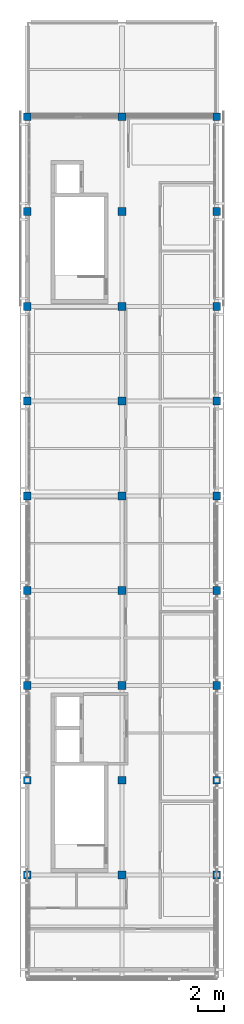
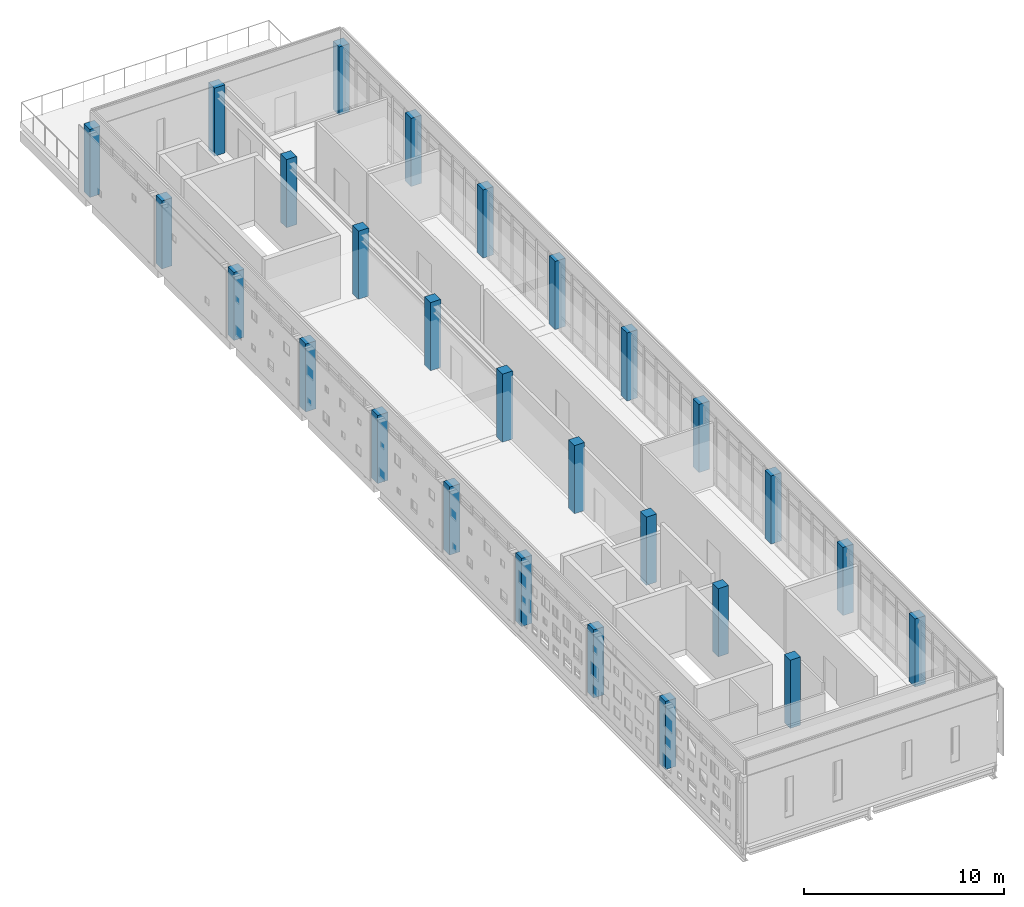
# One storey, part 1 of 19: 27 columns.
"""IFC4 building model written with IfcOpenShell, lengths in metres."""

import ifcopenshell
import ifcopenshell.guid

model = None  # the IFC model being written
_history = None  # IfcOwnerHistory: only IFC2X3 demands one
_inside = {}  # id of a spatial element -> (the spatial element, [elements in it])
_under = {}  # id of a project, library or spatial element -> (it, [spatial elements below it])
_declared = {}  # id of a project -> (the project, [libraries it declares])
_typed = {}  # id of a type object -> (the type object, [elements of that type])
_made_of = {}  # id of a material, layer set ... -> (it, [elements and type objects made of it])


def new_model(schema):
    """Start an empty IFC model of exactly this schema.

    Asked for "IFC4X3", IfcOpenShell would pick the latest addendum, in which some entities
    have other attributes; the version numbers below select the first issue.
    IFC2X3 requires an IfcOwnerHistory on every rooted entity: one is made here for all.
    """
    global model, _history
    if schema == "IFC4X3":
        model = ifcopenshell.file(schema_version=(4, 3, 0, 0))
    else:
        model = ifcopenshell.file(schema=schema)
    _inside.clear()
    _under.clear()
    _declared.clear()
    _typed.clear()
    _made_of.clear()
    _history = None
    if model.schema == "IFC2X3":
        org = make("IfcOrganization", Name="unknown")
        user = make(
            "IfcPersonAndOrganization",
            ThePerson=make("IfcPerson", FamilyName="unknown"),
            TheOrganization=org,
        )
        app = make(
            "IfcApplication",
            ApplicationDeveloper=org,
            Version="unknown",
            ApplicationFullName="unknown",
            ApplicationIdentifier="unknown",
        )
        _history = make(
            "IfcOwnerHistory",
            OwningUser=user,
            OwningApplication=app,
            ChangeAction="ADDED",
            CreationDate=0,
        )
    return model


def make(cls, **values):
    """One entity of the class cls with the attributes given. An attribute that is None is left unset."""
    return model.create_entity(
        cls, **{name: value for name, value in values.items() if value is not None}
    )


def rooted(cls, **values):
    """An entity with a GlobalId (a new one), such as an element, a storey or a relation."""
    return make(cls, GlobalId=ifcopenshell.guid.new(), OwnerHistory=_history, **values)


def si_unit(unit_type, name, prefix=None):
    """IfcSIUnit, for example si_unit("LENGTHUNIT", "METRE", prefix="MILLI")."""
    return make("IfcSIUnit", UnitType=unit_type, Prefix=prefix, Name=name)


def assignment(units):
    """IfcUnitAssignment: the units of a project."""
    return None if units is None else make("IfcUnitAssignment", Units=units)


def point(xyz):
    """IfcCartesianPoint."""
    return None if xyz is None else make("IfcCartesianPoint", Coordinates=xyz)


def direction(xyz):
    """IfcDirection."""
    return None if xyz is None else make("IfcDirection", DirectionRatios=xyz)


def frame(location, z_axis=None, x_axis=None):
    """IfcAxis2Placement3D, a coordinate frame: its origin and axes. An axis left out is left unset."""
    return make(
        "IfcAxis2Placement3D",
        Location=point(location),
        Axis=direction(z_axis),
        RefDirection=direction(x_axis),
    )


def frame_2d(location, x_axis=None):
    """IfcAxis2Placement2D, a coordinate frame in the plane: its origin and x axis."""
    return make(
        "IfcAxis2Placement2D", Location=point(location), RefDirection=direction(x_axis)
    )


def origin():
    """The frame at (0, 0, 0) with its axes left unset."""
    return frame((0.0, 0.0, 0.0))


def origin_2d():
    """The frame at (0, 0) in the plane with its x axis left unset."""
    return frame_2d((0.0, 0.0))


def place(relative_to, where):
    """IfcLocalPlacement: puts the frame where relative to a parent placement (None: the world)."""
    return make(
        "IfcLocalPlacement", PlacementRelTo=relative_to, RelativePlacement=where
    )


def context(
    kind, dimensions, precision=None, world=None, true_north=None, identifier=None
):
    """IfcGeometricRepresentationContext, for example the 3D "Model" context."""
    return make(
        "IfcGeometricRepresentationContext",
        ContextIdentifier=identifier,
        ContextType=kind,
        CoordinateSpaceDimension=dimensions,
        Precision=precision,
        WorldCoordinateSystem=world,
        TrueNorth=true_north,
    )


def subcontext(parent, identifier, kind, view, scale=None):
    """IfcGeometricRepresentationSubContext, for example "Body" below "Model"."""
    return make(
        "IfcGeometricRepresentationSubContext",
        ContextIdentifier=identifier,
        ContextType=kind,
        ParentContext=parent,
        TargetScale=scale,
        TargetView=view,
    )


def project(units=None, contexts=None):
    """IfcProject with its units and contexts."""
    return rooted(
        "IfcProject",
        Name="project",
        RepresentationContexts=contexts,
        UnitsInContext=assignment(units),
    )


def spatial(cls, under=None, at=None, **own):
    """A site, building, storey or space (cls), placed at a placement, below another one or the project."""
    s = rooted(cls, ObjectPlacement=at, **own)
    if under is not None:
        _under.setdefault(under.id(), (under, []))[1].append(s)
    return s


def profile(cls, at=None, kind="AREA", **sizes):
    """A parametric profile (cls). Its sizes go by their IFC names, for example OverallWidth=200.0."""
    return make(cls, ProfileType=kind, Position=at, **sizes)


def rectangle(**sizes):
    """IfcRectangleProfileDef."""
    return profile("IfcRectangleProfileDef", **sizes)


def extrude(swept, where, along, depth):
    """IfcExtrudedAreaSolid: the profile swept, set in the frame where, extruded along a direction by depth."""
    return make(
        "IfcExtrudedAreaSolid",
        SweptArea=swept,
        Position=where,
        ExtrudedDirection=direction(along),
        Depth=depth,
    )


def shape(context_of_items, identifier, shape_type, items):
    """IfcShapeRepresentation: the items that make up one representation, for example the "Body"."""
    return make(
        "IfcShapeRepresentation",
        ContextOfItems=context_of_items,
        RepresentationIdentifier=identifier,
        RepresentationType=shape_type,
        Items=items,
    )


def material(Name=None, Category=None):
    """IfcMaterial."""
    return make("IfcMaterial", Name=Name, Category=Category)


def material_profile(
    of_material, cross_section, Name=None, Category=None, Priority=None
):
    """IfcMaterialProfile: a cross section and its material."""
    return make(
        "IfcMaterialProfile",
        Name=Name,
        Material=of_material,
        Profile=cross_section,
        Priority=Priority,
        Category=Category,
    )


def profile_set(profiles, Name=None, composite=None):
    """IfcMaterialProfileSet."""
    return make(
        "IfcMaterialProfileSet",
        Name=Name,
        MaterialProfiles=profiles,
        CompositeProfile=composite,
    )


def made_of(thing, what):
    """Note that an element or type object is made of a material, layer set ...; save() writes the relation."""
    if what is not None:
        _made_of.setdefault(what.id(), (what, []))[1].append(thing)
    return thing


def type_object(cls, material=None, **own):
    """A type object (cls), such as IfcWallType, which elements share."""
    return made_of(rooted(cls, **own), material)


def element(
    cls,
    number,
    at=None,
    inside=None,
    cuts=None,
    type_object=None,
    material=None,
    context=None,
    identifier="Body",
    shape_type=None,
    held_by="IfcProductDefinitionShape",
    body=None,
    shapes=None,
    **own,
):
    """One element of the class cls, such as IfcWall. Its Tag is "e" and its number.

    at: its placement. inside: the storey or other place that contains it. cuts: it is an
    opening in that element (IfcRelVoidsElement). A single representation is given by context,
    identifier, shape_type and body (its items); several are given by shapes. held_by: the class
    of the entity that holds the representations. save() writes the other relations.
    """
    e = rooted(cls, Tag="e%d" % number, ObjectPlacement=at, **own)
    if body is not None:
        shapes = [shape(context, identifier, shape_type, body)]
    if shapes is not None:
        e.Representation = make(held_by, Representations=shapes)
    if inside is not None:
        _inside.setdefault(inside.id(), (inside, []))[1].append(e)
    if cuts is not None:
        rooted(
            "IfcRelVoidsElement", RelatingBuildingElement=cuts, RelatedOpeningElement=e
        )
    if type_object is not None:
        _typed.setdefault(type_object.id(), (type_object, []))[1].append(e)
    return made_of(e, material)


def aggregate(whole, parts):
    """IfcRelAggregates: a whole, such as a stair, and the parts it consists of."""
    return rooted("IfcRelAggregates", RelatingObject=whole, RelatedObjects=parts)


def save(model, path):
    """Write the relations noted so far, then the file.

    IfcRelAggregates (storeys below a building ...), IfcRelContainedInSpatialStructure (elements
    in a storey), IfcRelDefinesByType, IfcRelAssociatesMaterial and IfcRelDeclares: one each for
    every whole, place, type object, material and project.
    """
    for whole, parts in _under.values():
        aggregate(whole, parts)
    for where, things in _inside.values():
        rooted(
            "IfcRelContainedInSpatialStructure",
            RelatedElements=things,
            RelatingStructure=where,
        )
    for kind, things in _typed.values():
        rooted("IfcRelDefinesByType", RelatedObjects=things, RelatingType=kind)
    for what, things in _made_of.values():
        rooted("IfcRelAssociatesMaterial", RelatedObjects=things, RelatingMaterial=what)
    for by, libraries in _declared.values():
        rooted("IfcRelDeclares", RelatingContext=by, RelatedDefinitions=libraries)
    model.write(path)


model = new_model("IFC4")

# Units and contexts
model_context = context("Model", 3, precision=1e-05, world=origin(), true_north=direction((0.0, 1.0)))
body_context = subcontext(model_context, "Body", "Model", "MODEL_VIEW")
ifc_project = project(units=[si_unit("LENGTHUNIT", "METRE"), si_unit("AREAUNIT", "SQUARE_METRE"), si_unit("VOLUMEUNIT", "CUBIC_METRE"), si_unit("PLANEANGLEUNIT", "RADIAN"), si_unit("MASSUNIT", "GRAM", prefix="KILO")], contexts=[model_context])

# Site, building, storey
site_placement = place(None, origin())
site = spatial("IfcSite", under=ifc_project, at=site_placement, CompositionType="ELEMENT")
building_placement = place(site_placement, origin())
building = spatial("IfcBuilding", under=site, at=building_placement, Name="Valkovuoma Quantum and Materials Research Institute", CompositionType="ELEMENT")
storey_placement = place(building_placement, frame((0.0, 0.0, 38.080078125)))
storey = spatial("IfcBuildingStorey", under=building, at=storey_placement, Name="L09", CompositionType="ELEMENT", Elevation=38.080078125)

# Columns
ifc_material = material(Name="Concrete C40/50", Category="concrete")
ifc_material_profile = material_profile(ifc_material, rectangle(XDim=0.60009765625, YDim=0.60009765625, at=origin_2d()), Name="Concrete C40/50")
ifc_profile_set = profile_set([ifc_material_profile], Name="Concrete C40/50")
column_type = type_object("IfcColumnType", Name="Col-C-RC600", PredefinedType="COLUMN", material=ifc_profile_set)
for number, where, z_axis, x_axis, name in (
    (1, (0.0, 28.800048828125, 0.0), (0.0, 0.0, 1.0), (1.0, 0.0, 0.0), "L09 column 01E"),
    (2, (0.0, 36.0, 0.0), (0.0, 0.0, 1.0), (1.0, 0.0, 0.0), "L09 column 01F"),
    (3, (0.0, 43.199951171875, 0.0), (0.0, 0.0, 1.0), (1.0, 0.0, 0.0), "L09 column 01G"),
    (4, (0.0, 50.39990234375, 0.0), (0.0, 0.0, 1.0), (1.0, 0.0, 0.0), "L09 column 01H"),
    (5, (0.0, 57.60009765625, 0.0), (0.0, 0.0, 1.0), (1.0, 0.0, 0.0), "L09 column 01J"),
    (6, (0.0, 64.800048828125, 0.0), (0.0, 0.0, 1.0), (1.0, 0.0, 0.0), "L09 column 01K"),
    (7, (0.0, 72.0, 0.0), (0.0, 0.0, 1.0), (1.0, 0.0, 0.0), "L09 column 01L"),
    (8, (0.0, 79.199951171875, 0.0), (0.0, 0.0, 1.0), (1.0, 0.0, 0.0), "L09 column 01M"),
    (9, (0.0, 86.39990234375, 0.0), (0.0, 0.0, 1.0), (1.0, 0.0, 0.0), "L09 column 01N"),
    (10, (7.199951171875, 28.800048828125, 0.0), (0.0, 0.0, 1.0), (1.0, 0.0, 0.0), "L09 column 02E"),
    (11, (7.199951171875, 36.0, 0.0), (0.0, 0.0, 1.0), (1.0, 0.0, 0.0), "L09 column 02F"),
    (12, (7.199951171875, 43.199951171875, 0.0), (0.0, 0.0, 1.0), (1.0, 0.0, 0.0), "L09 column 02G"),
    (13, (7.199951171875, 50.39990234375, 0.0), (0.0, 0.0, 1.0), (1.0, 0.0, 0.0), "L09 column 02H"),
    (14, (7.199951171875, 57.60009765625, 0.0), (0.0, 0.0, 1.0), (1.0, 0.0, 0.0), "L09 column 02J"),
    (15, (7.199951171875, 64.800048828125, 0.0), (0.0, 0.0, 1.0), (1.0, 0.0, 0.0), "L09 column 02K"),
    (16, (7.199951171875, 72.0, 0.0), (0.0, 0.0, 1.0), (1.0, 0.0, 0.0), "L09 column 02L"),
    (17, (7.199951171875, 79.199951171875, 0.0), (0.0, 0.0, 1.0), (1.0, 0.0, 0.0), "L09 column 02M"),
    (18, (7.199951171875, 86.39990234375, 0.0), (0.0, 0.0, 1.0), (1.0, 0.0, 0.0), "L09 column 02N"),
    (19, (14.39990234375, 28.800048828125, 0.0), (0.0, 0.0, 1.0), (1.0, 0.0, 0.0), "L09 column 03E"),
    (20, (14.39990234375, 36.0, 0.0), (0.0, 0.0, 1.0), (1.0, 0.0, 0.0), "L09 column 03F"),
    (21, (14.39990234375, 43.199951171875, 0.0), (0.0, 0.0, 1.0), (1.0, 0.0, 0.0), "L09 column 03G"),
    (22, (14.39990234375, 50.39990234375, 0.0), (0.0, 0.0, 1.0), (1.0, 0.0, 0.0), "L09 column 03H"),
    (23, (14.39990234375, 57.60009765625, 0.0), (0.0, 0.0, 1.0), (1.0, 0.0, 0.0), "L09 column 03J"),
    (24, (14.39990234375, 64.800048828125, 0.0), (0.0, 0.0, 1.0), (1.0, 0.0, 0.0), "L09 column 03K"),
    (25, (14.39990234375, 72.0, 0.0), (0.0, 0.0, 1.0), (1.0, 0.0, 0.0), "L09 column 03L"),
    (26, (14.39990234375, 79.199951171875, 0.0), (0.0, 0.0, 1.0), (1.0, 0.0, 0.0), "L09 column 03M"),
    (27, (14.39990234375, 86.39990234375, 0.0), (0.0, 0.0, 1.0), (1.0, 0.0, 0.0), "L09 column 03N"),
):
    element("IfcColumn", number, at=place(storey_placement, frame(where, z_axis=z_axis, x_axis=x_axis)), inside=storey, type_object=column_type, Name=name, PredefinedType="COLUMN", context=body_context, shape_type="SweptSolid", body=[
        extrude(rectangle(XDim=0.60009765625, YDim=0.60009765625, at=origin_2d()), origin(), (0.0, 0.0, 1.0), 4.159912109375),
    ])

save(model, "model.ifc")
